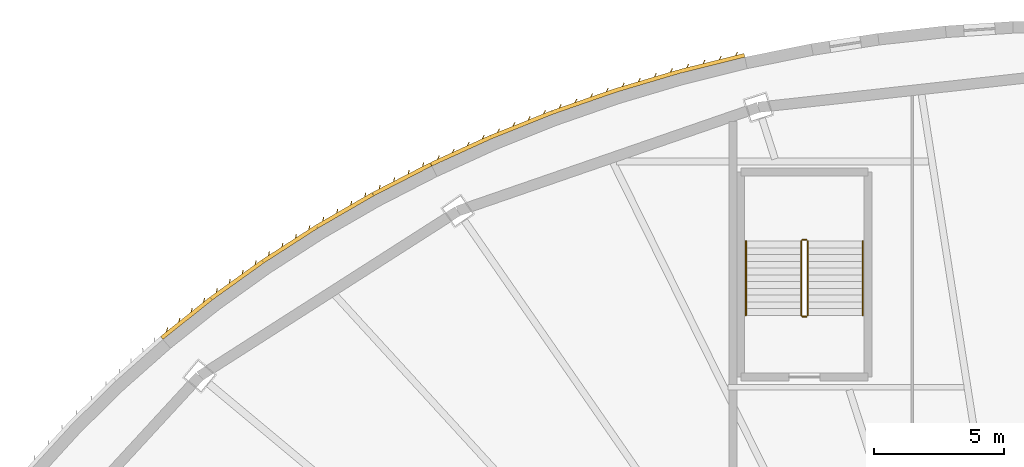
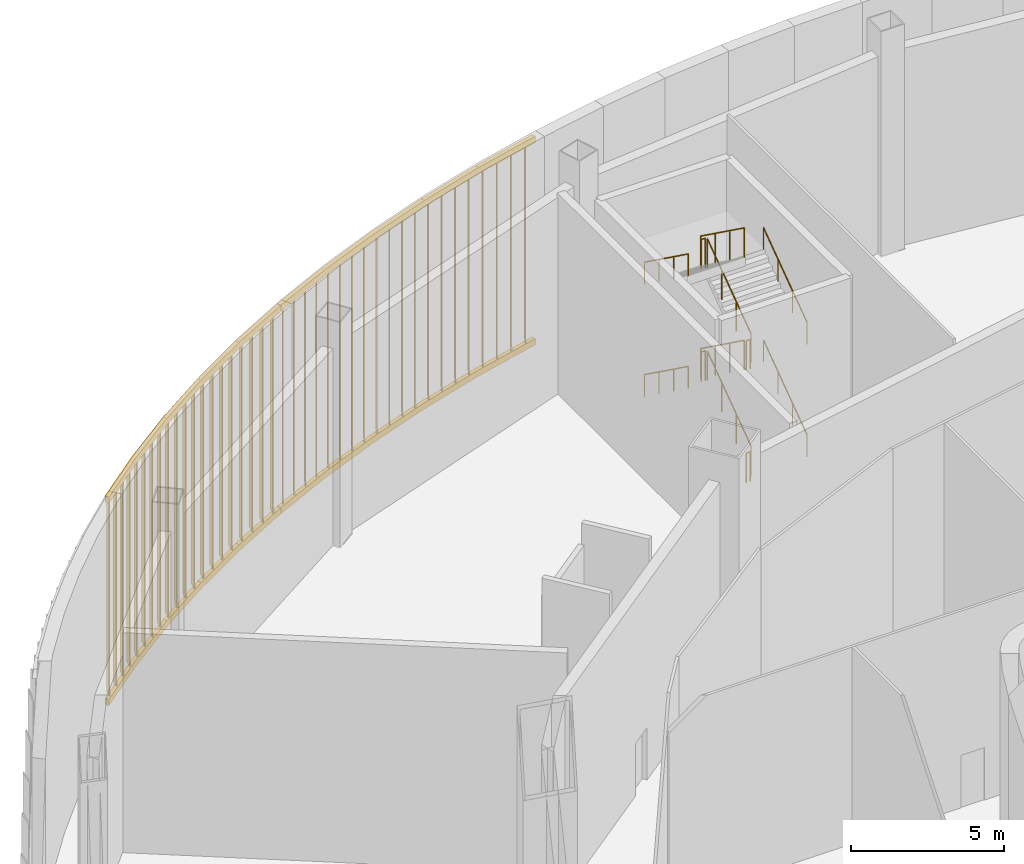
# One storey, part 33 of 35: 12 railings, 2 shading devices.
"""IFC4 building model written with IfcOpenShell, lengths in metres."""

from ifc_helpers import new_model, si_unit, direction, frame, origin, origin_2d, place, context, subcontext, project, spatial, rectangle, circle, extrude, material, type_object, element, save


model = new_model("IFC4")

# Units and contexts
model_context = context("Model", 3, precision=1e-05, world=origin(), true_north=direction((0.0, 1.0)))
body_context = subcontext(model_context, "Body", "Model", "MODEL_VIEW")
ifc_project = project(units=[si_unit("LENGTHUNIT", "METRE"), si_unit("AREAUNIT", "SQUARE_METRE"), si_unit("VOLUMEUNIT", "CUBIC_METRE"), si_unit("PLANEANGLEUNIT", "RADIAN"), si_unit("MASSUNIT", "GRAM", prefix="KILO")], contexts=[model_context])

# Site, building, storey
site_placement = place(None, origin())
site = spatial("IfcSite", under=ifc_project, at=site_placement, CompositionType="ELEMENT")
building_placement = place(site_placement, origin())
building = spatial("IfcBuilding", under=site, at=building_placement, Name="Sahrelin Media Tower", CompositionType="ELEMENT")
storey_placement = place(building_placement, frame((0.0, 0.0, 17.0)))
storey = spatial("IfcBuildingStorey", under=building, at=storey_placement, Name="L02", CompositionType="ELEMENT", Elevation=17.0)

# Railings
ifc_material_1 = material(Name="Steel S355", Category="steel")
railing_type_1 = type_object("IfcRailingType", Name="Stair guard 1200", PredefinedType="GUARDRAIL", material=ifc_material_1)
railing_1_placement = place(storey_placement, frame((-10.52490234375, 30.625, 0.1875)))
element("IfcRailing", 1, at=railing_1_placement, inside=storey, type_object=railing_type_1, Name="L02 PS2 stair guard 1", PredefinedType="GUARDRAIL", context=body_context, shape_type="SweptSolid", body=[
    extrude(circle(Radius=0.02392578125, at=origin_2d()), frame((0.0, 0.0, 1.17578125), z_axis=(0.0, 0.811100754333, 0.584906459462), x_axis=(-1.0, 0.0, 0.0)), (0.0, 0.0, 1.0), 3.526123046875),
    extrude(circle(Radius=0.02099609375, at=origin_2d()), origin(), (0.0, 0.0, 1.0), 1.15185546875),
    extrude(circle(Radius=0.02099609375, at=origin_2d()), frame((0.0, 0.953369140625, 0.6875)), (0.0, 0.0, 1.0), 1.15185546875),
    extrude(circle(Radius=0.02099609375, at=origin_2d()), frame((0.0, 1.90673828125, 1.375)), (0.0, 0.0, 1.0), 1.15185546875),
    extrude(circle(Radius=0.02099609375, at=origin_2d()), frame((0.0, 2.860107421875, 2.0625)), (0.0, 0.0, 1.0), 1.15185546875),
])
railing_2_placement = place(storey_placement, frame((-10.574951171875, 33.534912109375, 2.25)))
element("IfcRailing", 2, at=railing_2_placement, inside=storey, type_object=railing_type_1, Name="L02 PS2 stair guard 2", PredefinedType="GUARDRAIL", context=body_context, shape_type="SweptSolid", body=[
    extrude(circle(Radius=0.02392578125, at=origin_2d()), frame((0.0, 0.0, 1.17578125), z_axis=(-1.0, 0.0, 0.0), x_axis=(0.0, -1.0, 0.0)), (0.0, 0.0, 1.0), 0.150146484375),
    extrude(circle(Radius=0.02099609375, at=origin_2d()), origin(), (0.0, 0.0, 1.0), 1.15185546875),
    extrude(circle(Radius=0.02099609375, at=origin_2d()), frame((-0.150146484375, 0.0, 0.0)), (0.0, 0.0, 1.0), 1.15185546875),
])
railing_3_placement = place(storey_placement, frame((-10.77490234375, 33.485107421875, 2.4375)))
element("IfcRailing", 3, at=railing_3_placement, inside=storey, type_object=railing_type_1, Name="L02 PS2 stair guard 3", PredefinedType="GUARDRAIL", context=body_context, shape_type="SweptSolid", body=[
    extrude(circle(Radius=0.02392578125, at=origin_2d()), frame((0.0, 0.0, 1.17578125), z_axis=(0.0, -0.811100754333, 0.584906459462), x_axis=(1.0, 0.0, 0.0)), (0.0, 0.0, 1.0), 3.526123046875),
    extrude(circle(Radius=0.02099609375, at=origin_2d()), origin(), (0.0, 0.0, 1.0), 1.15185546875),
    extrude(circle(Radius=0.02099609375, at=origin_2d()), frame((0.0, -0.953369140625, 0.6875)), (0.0, 0.0, 1.0), 1.15185546875),
    extrude(circle(Radius=0.02099609375, at=origin_2d()), frame((0.0, -1.90673828125, 1.375)), (0.0, 0.0, 1.0), 1.15185546875),
    extrude(circle(Radius=0.02099609375, at=origin_2d()), frame((0.0, -2.860107421875, 2.0625)), (0.0, 0.0, 1.0), 1.15185546875),
])
railing_4_placement = place(storey_placement, frame((-10.574951171875, 30.574951171875, 4.5)))
element("IfcRailing", 4, at=railing_4_placement, inside=storey, type_object=railing_type_1, Name="L02 PS2 stair guard 4", PredefinedType="GUARDRAIL", context=body_context, shape_type="SweptSolid", body=[
    extrude(circle(Radius=0.02392578125, at=origin_2d()), frame((0.0, 0.0, 1.17578125), z_axis=(-1.0, 0.0, 0.0), x_axis=(0.0, -1.0, 0.0)), (0.0, 0.0, 1.0), 0.150146484375),
    extrude(circle(Radius=0.02099609375, at=origin_2d()), origin(), (0.0, 0.0, 1.0), 1.15185546875),
    extrude(circle(Radius=0.02099609375, at=origin_2d()), frame((-0.150146484375, 0.0, 0.0)), (0.0, 0.0, 1.0), 1.15185546875),
])
railing_5_placement = place(storey_placement, frame((-10.52490234375, 30.625, 4.6875)))
element("IfcRailing", 5, at=railing_5_placement, inside=storey, type_object=railing_type_1, Name="L02 PS2 stair guard 5", PredefinedType="GUARDRAIL", context=body_context, shape_type="SweptSolid", body=[
    extrude(circle(Radius=0.02392578125, at=origin_2d()), frame((0.0, 0.0, 1.17578125), z_axis=(0.0, 0.811100754333, 0.584906459462), x_axis=(-1.0, 0.0, 0.0)), (0.0, 0.0, 1.0), 3.526123046875),
    extrude(circle(Radius=0.02099609375, at=origin_2d()), origin(), (0.0, 0.0, 1.0), 1.15185546875),
    extrude(circle(Radius=0.02099609375, at=origin_2d()), frame((0.0, 0.953369140625, 0.6875)), (0.0, 0.0, 1.0), 1.15185546875),
    extrude(circle(Radius=0.02099609375, at=origin_2d()), frame((0.0, 1.90673828125, 1.375)), (0.0, 0.0, 1.0), 1.15185546875),
    extrude(circle(Radius=0.02099609375, at=origin_2d()), frame((0.0, 2.860107421875, 2.0625)), (0.0, 0.0, 1.0), 1.15185546875),
])
railing_6_placement = place(storey_placement, frame((-10.574951171875, 33.534912109375, 6.75)))
element("IfcRailing", 6, at=railing_6_placement, inside=storey, type_object=railing_type_1, Name="L02 PS2 stair guard 6", PredefinedType="GUARDRAIL", context=body_context, shape_type="SweptSolid", body=[
    extrude(circle(Radius=0.02392578125, at=origin_2d()), frame((0.0, 0.0, 1.17578125), z_axis=(-1.0, 0.0, 0.0), x_axis=(0.0, -1.0, 0.0)), (0.0, 0.0, 1.0), 0.150146484375),
    extrude(circle(Radius=0.02099609375, at=origin_2d()), origin(), (0.0, 0.0, 1.0), 1.15185546875),
    extrude(circle(Radius=0.02099609375, at=origin_2d()), frame((-0.150146484375, 0.0, 0.0)), (0.0, 0.0, 1.0), 1.15185546875),
])
railing_7_placement = place(storey_placement, frame((-10.77490234375, 33.485107421875, 6.9375)))
element("IfcRailing", 7, at=railing_7_placement, inside=storey, type_object=railing_type_1, Name="L02 PS2 stair guard 7", PredefinedType="GUARDRAIL", context=body_context, shape_type="SweptSolid", body=[
    extrude(circle(Radius=0.02392578125, at=origin_2d()), frame((0.0, 0.0, 1.17578125), z_axis=(0.0, -0.811100754333, 0.584906459462), x_axis=(1.0, 0.0, 0.0)), (0.0, 0.0, 1.0), 3.526123046875),
    extrude(circle(Radius=0.02099609375, at=origin_2d()), origin(), (0.0, 0.0, 1.0), 1.15185546875),
    extrude(circle(Radius=0.02099609375, at=origin_2d()), frame((0.0, -0.953369140625, 0.6875)), (0.0, 0.0, 1.0), 1.15185546875),
    extrude(circle(Radius=0.02099609375, at=origin_2d()), frame((0.0, -1.90673828125, 1.375)), (0.0, 0.0, 1.0), 1.15185546875),
    extrude(circle(Radius=0.02099609375, at=origin_2d()), frame((0.0, -2.860107421875, 2.0625)), (0.0, 0.0, 1.0), 1.15185546875),
])
railing_8_placement = place(storey_placement, frame((-10.574951171875, 30.574951171875, 0.0)))
element("IfcRailing", 8, at=railing_8_placement, inside=storey, type_object=railing_type_1, Name="L02 PS2 stair guard 8", PredefinedType="GUARDRAIL", context=body_context, shape_type="SweptSolid", body=[
    extrude(circle(Radius=0.02392578125, at=origin_2d()), frame((0.0, 0.0, 1.17578125), z_axis=(-1.0, 0.0, 0.0), x_axis=(0.0, -1.0, 0.0)), (0.0, 0.0, 1.0), 0.150146484375),
    extrude(circle(Radius=0.02099609375, at=origin_2d()), origin(), (0.0, 0.0, 1.0), 1.15185546875),
    extrude(circle(Radius=0.02099609375, at=origin_2d()), frame((-0.150146484375, 0.0, 0.0)), (0.0, 0.0, 1.0), 1.15185546875),
])
railing_type_2 = type_object("IfcRailingType", Name="Stair handrail 900", PredefinedType="HANDRAIL", material=ifc_material_1)
railing_9_placement = place(storey_placement, frame((-8.39990234375, 30.625, 0.1875)))
element("IfcRailing", 9, at=railing_9_placement, inside=storey, type_object=railing_type_2, Name="L02 PS2 stair handrail 1", PredefinedType="HANDRAIL", context=body_context, shape_type="SweptSolid", body=[
    extrude(circle(Radius=0.02392578125, at=origin_2d()), frame((0.0, 0.0, 0.8759765625), z_axis=(0.0, 0.811100754333, 0.584906459462), x_axis=(-1.0, 0.0, 0.0)), (0.0, 0.0, 1.0), 3.526123046875),
    extrude(circle(Radius=0.02099609375, at=origin_2d()), origin(), (0.0, 0.0, 1.0), 0.851806640625),
    extrude(circle(Radius=0.02099609375, at=origin_2d()), frame((0.0, 0.953369140625, 0.6875)), (0.0, 0.0, 1.0), 0.851806640625),
    extrude(circle(Radius=0.02099609375, at=origin_2d()), frame((0.0, 1.90673828125, 1.375)), (0.0, 0.0, 1.0), 0.851806640625),
    extrude(circle(Radius=0.02099609375, at=origin_2d()), frame((0.0, 2.860107421875, 2.0625)), (0.0, 0.0, 1.0), 0.851806640625),
])
railing_10_placement = place(storey_placement, frame((-12.89990234375, 33.485107421875, 2.4375)))
element("IfcRailing", 10, at=railing_10_placement, inside=storey, type_object=railing_type_2, Name="L02 PS2 stair handrail 2", PredefinedType="HANDRAIL", context=body_context, shape_type="SweptSolid", body=[
    extrude(circle(Radius=0.02392578125, at=origin_2d()), frame((0.0, 0.0, 0.8759765625), z_axis=(0.0, -0.811100754333, 0.584906459462), x_axis=(1.0, 0.0, 0.0)), (0.0, 0.0, 1.0), 3.526123046875),
    extrude(circle(Radius=0.02099609375, at=origin_2d()), origin(), (0.0, 0.0, 1.0), 0.851806640625),
    extrude(circle(Radius=0.02099609375, at=origin_2d()), frame((0.0, -0.953369140625, 0.6875)), (0.0, 0.0, 1.0), 0.851806640625),
    extrude(circle(Radius=0.02099609375, at=origin_2d()), frame((0.0, -1.90673828125, 1.375)), (0.0, 0.0, 1.0), 0.851806640625),
    extrude(circle(Radius=0.02099609375, at=origin_2d()), frame((0.0, -2.860107421875, 2.0625)), (0.0, 0.0, 1.0), 0.851806640625),
])
railing_11_placement = place(storey_placement, frame((-8.39990234375, 30.625, 4.6875)))
element("IfcRailing", 11, at=railing_11_placement, inside=storey, type_object=railing_type_2, Name="L02 PS2 stair handrail 3", PredefinedType="HANDRAIL", context=body_context, shape_type="SweptSolid", body=[
    extrude(circle(Radius=0.02392578125, at=origin_2d()), frame((0.0, 0.0, 0.8759765625), z_axis=(0.0, 0.811100754333, 0.584906459462), x_axis=(-1.0, 0.0, 0.0)), (0.0, 0.0, 1.0), 3.526123046875),
    extrude(circle(Radius=0.02099609375, at=origin_2d()), origin(), (0.0, 0.0, 1.0), 0.851806640625),
    extrude(circle(Radius=0.02099609375, at=origin_2d()), frame((0.0, 0.953369140625, 0.6875)), (0.0, 0.0, 1.0), 0.851806640625),
    extrude(circle(Radius=0.02099609375, at=origin_2d()), frame((0.0, 1.90673828125, 1.375)), (0.0, 0.0, 1.0), 0.851806640625),
    extrude(circle(Radius=0.02099609375, at=origin_2d()), frame((0.0, 2.860107421875, 2.0625)), (0.0, 0.0, 1.0), 0.851806640625),
])
railing_12_placement = place(storey_placement, frame((-12.89990234375, 33.485107421875, 6.9375)))
element("IfcRailing", 12, at=railing_12_placement, inside=storey, type_object=railing_type_2, Name="L02 PS2 stair handrail 4", PredefinedType="HANDRAIL", context=body_context, shape_type="SweptSolid", body=[
    extrude(circle(Radius=0.02392578125, at=origin_2d()), frame((0.0, 0.0, 0.8759765625), z_axis=(0.0, -0.811100754333, 0.584906459462), x_axis=(1.0, 0.0, 0.0)), (0.0, 0.0, 1.0), 3.526123046875),
    extrude(circle(Radius=0.02099609375, at=origin_2d()), origin(), (0.0, 0.0, 1.0), 0.851806640625),
    extrude(circle(Radius=0.02099609375, at=origin_2d()), frame((0.0, -0.953369140625, 0.6875)), (0.0, 0.0, 1.0), 0.851806640625),
    extrude(circle(Radius=0.02099609375, at=origin_2d()), frame((0.0, -1.90673828125, 1.375)), (0.0, 0.0, 1.0), 0.851806640625),
    extrude(circle(Radius=0.02099609375, at=origin_2d()), frame((0.0, -2.860107421875, 2.0625)), (0.0, 0.0, 1.0), 0.851806640625),
])

# Shading devices
ifc_material_2 = material(Name="Champagne anodised aluminium 6063-T6", Category="aluminium")
shading_device_type = type_object("IfcShadingDeviceType", Name="Studio facade screen", PredefinedType="USERDEFINED", material=ifc_material_2)
shading_device_1_placement = place(storey_placement, frame((-12.94091796875, 40.56884765625, 0.0), z_axis=(0.0, 0.0, 1.0), x_axis=(0.944472511528, 0.328590436515, 0.0)))
element("IfcShadingDevice", 13, at=shading_device_1_placement, inside=storey, type_object=shading_device_type, Name="L02:SCREEN:L02-P07", ObjectType="SCREEN", PredefinedType="USERDEFINED", context=body_context, shape_type="SweptSolid", body=[
    extrude(rectangle(XDim=0.14990234375, YDim=0.25, at=origin_2d()), frame((0.0068359375, 0.07470703125, 0.35009765625), z_axis=(-0.995868409854, 0.090808095761, 0.0), x_axis=(-0.090808095761, -0.995868409854, 0.0)), (0.0, 0.0, 1.0), 2.58642578125),
    extrude(rectangle(XDim=0.14990234375, YDim=0.25, at=origin_2d()), frame((0.0068359375, 0.07470703125, 8.449951171875), z_axis=(-0.995868409854, 0.090808095761, 0.0), x_axis=(-0.090808095761, -0.995868409854, 0.0)), (0.0, 0.0, 1.0), 2.58642578125),
    extrude(rectangle(XDim=0.300048828125, YDim=0.0400390625, at=origin_2d()), frame((-0.308349609375, 0.1787109375, 0.47509765625), z_axis=(0.0, 0.0, 1.0), x_axis=(0.707106781187, 0.707106781187, 0.0)), (0.0, 0.0, 1.0), 7.849853515625),
    extrude(rectangle(XDim=0.300048828125, YDim=0.0400390625, at=origin_2d()), frame((-0.9521484375, 0.237548828125, 0.47509765625), z_axis=(0.0, 0.0, 1.0), x_axis=(0.707106781187, 0.707106781187, 0.0)), (0.0, 0.0, 1.0), 7.849853515625),
    extrude(rectangle(XDim=0.300048828125, YDim=0.0400390625, at=origin_2d()), frame((-1.59619140625, 0.296142578125, 0.47509765625), z_axis=(0.0, 0.0, 1.0), x_axis=(0.707106781187, 0.707106781187, 0.0)), (0.0, 0.0, 1.0), 7.849853515625),
    extrude(rectangle(XDim=0.300048828125, YDim=0.0400390625, at=origin_2d()), frame((-2.239990234375, 0.35498046875, 0.47509765625), z_axis=(0.0, 0.0, 1.0), x_axis=(0.707106781187, 0.707106781187, 0.0)), (0.0, 0.0, 1.0), 7.849853515625),
    extrude(rectangle(XDim=0.14990234375, YDim=0.25, at=origin_2d()), frame((-2.572265625, 0.309814453125, 0.35009765625), z_axis=(-0.998954807811, 0.045708773245, 0.0), x_axis=(-0.045708773245, -0.998954807811, 0.0)), (0.0, 0.0, 1.0), 2.574462890625),
    extrude(rectangle(XDim=0.14990234375, YDim=0.25, at=origin_2d()), frame((-2.572265625, 0.309814453125, 8.449951171875), z_axis=(-0.998954807811, 0.045708773245, 0.0), x_axis=(-0.045708773245, -0.998954807811, 0.0)), (0.0, 0.0, 1.0), 2.574462890625),
    extrude(rectangle(XDim=0.300048828125, YDim=0.0400390625, at=origin_2d()), frame((-2.890380859375, 0.3994140625, 0.47509765625), z_axis=(0.0, 0.0, 1.0), x_axis=(0.707106781187, 0.707106781187, 0.0)), (0.0, 0.0, 1.0), 7.849853515625),
    extrude(rectangle(XDim=0.300048828125, YDim=0.0400390625, at=origin_2d()), frame((-3.533203125, 0.428955078125, 0.47509765625), z_axis=(0.0, 0.0, 1.0), x_axis=(0.707106781187, 0.707106781187, 0.0)), (0.0, 0.0, 1.0), 7.849853515625),
    extrude(rectangle(XDim=0.300048828125, YDim=0.0400390625, at=origin_2d()), frame((-4.176025390625, 0.458251953125, 0.47509765625), z_axis=(0.0, 0.0, 1.0), x_axis=(0.707106781187, 0.707106781187, 0.0)), (0.0, 0.0, 1.0), 7.849853515625),
    extrude(rectangle(XDim=0.300048828125, YDim=0.0400390625, at=origin_2d()), frame((-4.819091796875, 0.48779296875, 0.47509765625), z_axis=(0.0, 0.0, 1.0), x_axis=(0.707106781187, 0.707106781187, 0.0)), (0.0, 0.0, 1.0), 7.849853515625),
    extrude(rectangle(XDim=0.14990234375, YDim=0.25, at=origin_2d()), frame((-5.1474609375, 0.427490234375, 0.35009765625), z_axis=(-1.0, 0.0, 0.0), x_axis=(0.0, -1.0, 0.0)), (0.0, 0.0, 1.0), 2.560546875),
    extrude(rectangle(XDim=0.14990234375, YDim=0.25, at=origin_2d()), frame((-5.1474609375, 0.427490234375, 8.449951171875), z_axis=(-1.0, 0.0, 0.0), x_axis=(0.0, -1.0, 0.0)), (0.0, 0.0, 1.0), 2.560546875),
    extrude(rectangle(XDim=0.300048828125, YDim=0.0400390625, at=origin_2d()), frame((-5.467529296875, 0.502685546875, 0.47509765625), z_axis=(0.0, 0.0, 1.0), x_axis=(0.707106781187, 0.707106781187, 0.0)), (0.0, 0.0, 1.0), 7.849853515625),
    extrude(rectangle(XDim=0.300048828125, YDim=0.0400390625, at=origin_2d()), frame((-6.107666015625, 0.502685546875, 0.47509765625), z_axis=(0.0, 0.0, 1.0), x_axis=(0.707106781187, 0.707106781187, 0.0)), (0.0, 0.0, 1.0), 7.849853515625),
    extrude(rectangle(XDim=0.300048828125, YDim=0.0400390625, at=origin_2d()), frame((-6.747802734375, 0.502685546875, 0.47509765625), z_axis=(0.0, 0.0, 1.0), x_axis=(0.707106781187, 0.707106781187, 0.0)), (0.0, 0.0, 1.0), 7.849853515625),
    extrude(rectangle(XDim=0.300048828125, YDim=0.0400390625, at=origin_2d()), frame((-7.387939453125, 0.502685546875, 0.47509765625), z_axis=(0.0, 0.0, 1.0), x_axis=(0.707106781187, 0.707106781187, 0.0)), (0.0, 0.0, 1.0), 7.849853515625),
    extrude(rectangle(XDim=0.14990234375, YDim=0.25, at=origin_2d()), frame((-7.71142578125, 0.427490234375, 0.35009765625), z_axis=(-0.998930620484, -0.046234353666, 0.0), x_axis=(0.046234353666, -0.998930620484, 0.0)), (0.0, 0.0, 1.0), 2.545166015625),
    extrude(rectangle(XDim=0.14990234375, YDim=0.25, at=origin_2d()), frame((-7.71142578125, 0.427490234375, 8.449951171875), z_axis=(-0.998930620484, -0.046234353666, 0.0), x_axis=(0.046234353666, -0.998930620484, 0.0)), (0.0, 0.0, 1.0), 2.545166015625),
    extrude(rectangle(XDim=0.300048828125, YDim=0.0400390625, at=origin_2d()), frame((-8.03271484375, 0.48779296875, 0.47509765625), z_axis=(0.0, 0.0, 1.0), x_axis=(0.707106781187, 0.707106781187, 0.0)), (0.0, 0.0, 1.0), 7.849853515625),
    extrude(rectangle(XDim=0.300048828125, YDim=0.0400390625, at=origin_2d()), frame((-8.66845703125, 0.458251953125, 0.47509765625), z_axis=(0.0, 0.0, 1.0), x_axis=(0.707106781187, 0.707106781187, 0.0)), (0.0, 0.0, 1.0), 7.849853515625),
    extrude(rectangle(XDim=0.300048828125, YDim=0.0400390625, at=origin_2d()), frame((-9.303955078125, 0.428955078125, 0.47509765625), z_axis=(0.0, 0.0, 1.0), x_axis=(0.707106781187, 0.707106781187, 0.0)), (0.0, 0.0, 1.0), 7.849853515625),
    extrude(rectangle(XDim=0.300048828125, YDim=0.0400390625, at=origin_2d()), frame((-9.939697265625, 0.3994140625, 0.47509765625), z_axis=(0.0, 0.0, 1.0), x_axis=(0.707106781187, 0.707106781187, 0.0)), (0.0, 0.0, 1.0), 7.849853515625),
    extrude(rectangle(XDim=0.14990234375, YDim=0.25, at=origin_2d()), frame((-10.257568359375, 0.3095703125, 0.35009765625), z_axis=(-0.995676744861, -0.092886057851, 0.0), x_axis=(0.092886057851, -0.995676744861, 0.0)), (0.0, 0.0, 1.0), 2.528564453125),
    extrude(rectangle(XDim=0.14990234375, YDim=0.25, at=origin_2d()), frame((-10.257568359375, 0.3095703125, 8.449951171875), z_axis=(-0.995676744861, -0.092886057851, 0.0), x_axis=(0.092886057851, -0.995676744861, 0.0)), (0.0, 0.0, 1.0), 2.528564453125),
    extrude(rectangle(XDim=0.300048828125, YDim=0.0400390625, at=origin_2d()), frame((-10.5791015625, 0.35498046875, 0.47509765625), z_axis=(0.0, 0.0, 1.0), x_axis=(0.707106781187, 0.707106781187, 0.0)), (0.0, 0.0, 1.0), 7.849853515625),
    extrude(rectangle(XDim=0.300048828125, YDim=0.0400390625, at=origin_2d()), frame((-11.20849609375, 0.296142578125, 0.47509765625), z_axis=(0.0, 0.0, 1.0), x_axis=(0.707106781187, 0.707106781187, 0.0)), (0.0, 0.0, 1.0), 7.849853515625),
    extrude(rectangle(XDim=0.300048828125, YDim=0.0400390625, at=origin_2d()), frame((-11.837890625, 0.237548828125, 0.47509765625), z_axis=(0.0, 0.0, 1.0), x_axis=(0.707106781187, 0.707106781187, 0.0)), (0.0, 0.0, 1.0), 7.849853515625),
    extrude(rectangle(XDim=0.300048828125, YDim=0.0400390625, at=origin_2d()), frame((-12.46728515625, 0.1787109375, 0.47509765625), z_axis=(0.0, 0.0, 1.0), x_axis=(0.707106781187, 0.707106781187, 0.0)), (0.0, 0.0, 1.0), 7.849853515625),
])
shading_device_2_placement = place(storey_placement, frame((-25.0, 36.373046875, 0.0), z_axis=(0.0, 0.0, 1.0), x_axis=(0.840505257377, 0.541803388991, 0.0)))
element("IfcShadingDevice", 14, at=shading_device_2_placement, inside=storey, type_object=shading_device_type, Name="L02:SCREEN:L02-P08", ObjectType="SCREEN", PredefinedType="USERDEFINED", context=body_context, shape_type="SweptSolid", body=[
    extrude(rectangle(XDim=0.14990234375, YDim=0.25, at=origin_2d()), frame((0.00732421875, 0.07470703125, 0.35009765625), z_axis=(-0.995288149156, 0.096961333272, 0.0), x_axis=(-0.096961333272, -0.995288149156, 0.0)), (0.0, 0.0, 1.0), 2.51025390625),
    extrude(rectangle(XDim=0.14990234375, YDim=0.25, at=origin_2d()), frame((0.00732421875, 0.07470703125, 8.449951171875), z_axis=(-0.995288149156, 0.096961333272, 0.0), x_axis=(-0.096961333272, -0.995288149156, 0.0)), (0.0, 0.0, 1.0), 2.51025390625),
    extrude(rectangle(XDim=0.300048828125, YDim=0.0400390625, at=origin_2d()), frame((-0.2978515625, 0.1796875, 0.47509765625), z_axis=(0.0, 0.0, 1.0), x_axis=(0.707106781187, 0.707106781187, 0.0)), (0.0, 0.0, 1.0), 7.849853515625),
    extrude(rectangle(XDim=0.300048828125, YDim=0.0400390625, at=origin_2d()), frame((-0.92236328125, 0.240478515625, 0.47509765625), z_axis=(0.0, 0.0, 1.0), x_axis=(0.707106781187, 0.707106781187, 0.0)), (0.0, 0.0, 1.0), 7.849853515625),
    extrude(rectangle(XDim=0.300048828125, YDim=0.0400390625, at=origin_2d()), frame((-1.547119140625, 0.301513671875, 0.47509765625), z_axis=(0.0, 0.0, 1.0), x_axis=(0.707106781187, 0.707106781187, 0.0)), (0.0, 0.0, 1.0), 7.849853515625),
    extrude(rectangle(XDim=0.300048828125, YDim=0.0400390625, at=origin_2d()), frame((-2.171630859375, 0.3623046875, 0.47509765625), z_axis=(0.0, 0.0, 1.0), x_axis=(0.707106781187, 0.707106781187, 0.0)), (0.0, 0.0, 1.0), 7.849853515625),
    extrude(rectangle(XDim=0.14990234375, YDim=0.25, at=origin_2d()), frame((-2.494873046875, 0.318603515625, 0.35009765625), z_axis=(-0.99880815952, 0.048808405793, 0.0), x_axis=(-0.048808405793, -0.99880815952, 0.0)), (0.0, 0.0, 1.0), 2.490966796875),
    extrude(rectangle(XDim=0.14990234375, YDim=0.25, at=origin_2d()), frame((-2.494873046875, 0.318603515625, 8.449951171875), z_axis=(-0.99880815952, 0.048808405793, 0.0), x_axis=(-0.048808405793, -0.99880815952, 0.0)), (0.0, 0.0, 1.0), 2.490966796875),
    extrude(rectangle(XDim=0.300048828125, YDim=0.0400390625, at=origin_2d()), frame((-2.80224609375, 0.40869140625, 0.47509765625), z_axis=(0.0, 0.0, 1.0), x_axis=(0.707106781187, 0.707106781187, 0.0)), (0.0, 0.0, 1.0), 7.849853515625),
    extrude(rectangle(XDim=0.300048828125, YDim=0.0400390625, at=origin_2d()), frame((-3.42431640625, 0.439208984375, 0.47509765625), z_axis=(0.0, 0.0, 1.0), x_axis=(0.707106781187, 0.707106781187, 0.0)), (0.0, 0.0, 1.0), 7.849853515625),
    extrude(rectangle(XDim=0.300048828125, YDim=0.0400390625, at=origin_2d()), frame((-4.046142578125, 0.469482421875, 0.47509765625), z_axis=(0.0, 0.0, 1.0), x_axis=(0.707106781187, 0.707106781187, 0.0)), (0.0, 0.0, 1.0), 7.849853515625),
    extrude(rectangle(XDim=0.300048828125, YDim=0.0400390625, at=origin_2d()), frame((-4.668212890625, 0.5, 0.47509765625), z_axis=(0.0, 0.0, 1.0), x_axis=(0.707106781187, 0.707106781187, 0.0)), (0.0, 0.0, 1.0), 7.849853515625),
    extrude(rectangle(XDim=0.14990234375, YDim=0.25, at=origin_2d()), frame((-4.986572265625, 0.4404296875, 0.35009765625), z_axis=(-1.0, 0.0, 0.0), x_axis=(0.0, -1.0, 0.0)), (0.0, 0.0, 1.0), 2.470703125),
    extrude(rectangle(XDim=0.14990234375, YDim=0.25, at=origin_2d()), frame((-4.986572265625, 0.4404296875, 8.449951171875), z_axis=(-1.0, 0.0, 0.0), x_axis=(0.0, -1.0, 0.0)), (0.0, 0.0, 1.0), 2.470703125),
    extrude(rectangle(XDim=0.300048828125, YDim=0.0400390625, at=origin_2d()), frame((-5.29541015625, 0.515380859375, 0.47509765625), z_axis=(0.0, 0.0, 1.0), x_axis=(0.707106781187, 0.707106781187, 0.0)), (0.0, 0.0, 1.0), 7.849853515625),
    extrude(rectangle(XDim=0.300048828125, YDim=0.0400390625, at=origin_2d()), frame((-5.9130859375, 0.515380859375, 0.47509765625), z_axis=(0.0, 0.0, 1.0), x_axis=(0.707106781187, 0.707106781187, 0.0)), (0.0, 0.0, 1.0), 7.849853515625),
    extrude(rectangle(XDim=0.300048828125, YDim=0.0400390625, at=origin_2d()), frame((-6.53076171875, 0.515380859375, 0.47509765625), z_axis=(0.0, 0.0, 1.0), x_axis=(0.707106781187, 0.707106781187, 0.0)), (0.0, 0.0, 1.0), 7.849853515625),
    extrude(rectangle(XDim=0.300048828125, YDim=0.0400390625, at=origin_2d()), frame((-7.1484375, 0.515380859375, 0.47509765625), z_axis=(0.0, 0.0, 1.0), x_axis=(0.707106781187, 0.707106781187, 0.0)), (0.0, 0.0, 1.0), 7.849853515625),
    extrude(rectangle(XDim=0.14990234375, YDim=0.25, at=origin_2d()), frame((-7.4609375, 0.440185546875, 0.35009765625), z_axis=(-0.998762754954, -0.049728857985, 0.0), x_axis=(0.049728857985, -0.998762754954, 0.0)), (0.0, 0.0, 1.0), 2.44970703125),
    extrude(rectangle(XDim=0.14990234375, YDim=0.25, at=origin_2d()), frame((-7.4609375, 0.440185546875, 8.449951171875), z_axis=(-0.998762754954, -0.049728857985, 0.0), x_axis=(0.049728857985, -0.998762754954, 0.0)), (0.0, 0.0, 1.0), 2.44970703125),
    extrude(rectangle(XDim=0.300048828125, YDim=0.0400390625, at=origin_2d()), frame((-7.7705078125, 0.5, 0.47509765625), z_axis=(0.0, 0.0, 1.0), x_axis=(0.707106781187, 0.707106781187, 0.0)), (0.0, 0.0, 1.0), 7.849853515625),
    extrude(rectangle(XDim=0.300048828125, YDim=0.0400390625, at=origin_2d()), frame((-8.38232421875, 0.469482421875, 0.47509765625), z_axis=(0.0, 0.0, 1.0), x_axis=(0.707106781187, 0.707106781187, 0.0)), (0.0, 0.0, 1.0), 7.849853515625),
    extrude(rectangle(XDim=0.300048828125, YDim=0.0400390625, at=origin_2d()), frame((-8.993896484375, 0.43896484375, 0.47509765625), z_axis=(0.0, 0.0, 1.0), x_axis=(0.707106781187, 0.707106781187, 0.0)), (0.0, 0.0, 1.0), 7.849853515625),
    extrude(rectangle(XDim=0.300048828125, YDim=0.0400390625, at=origin_2d()), frame((-9.605712890625, 0.40869140625, 0.47509765625), z_axis=(0.0, 0.0, 1.0), x_axis=(0.707106781187, 0.707106781187, 0.0)), (0.0, 0.0, 1.0), 7.849853515625),
    extrude(rectangle(XDim=0.14990234375, YDim=0.25, at=origin_2d()), frame((-9.91162109375, 0.318115234375, 0.35009765625), z_axis=(-0.994962242717, -0.100250364425, 0.0), x_axis=(0.100250364425, -0.994962242717, 0.0)), (0.0, 0.0, 1.0), 2.427978515625),
    extrude(rectangle(XDim=0.14990234375, YDim=0.25, at=origin_2d()), frame((-9.91162109375, 0.318115234375, 8.449951171875), z_axis=(-0.994962242717, -0.100250364425, 0.0), x_axis=(0.100250364425, -0.994962242717, 0.0)), (0.0, 0.0, 1.0), 2.427978515625),
    extrude(rectangle(XDim=0.300048828125, YDim=0.0400390625, at=origin_2d()), frame((-10.220947265625, 0.3623046875, 0.47509765625), z_axis=(0.0, 0.0, 1.0), x_axis=(0.707106781187, 0.707106781187, 0.0)), (0.0, 0.0, 1.0), 7.849853515625),
    extrude(rectangle(XDim=0.300048828125, YDim=0.0400390625, at=origin_2d()), frame((-10.824951171875, 0.301513671875, 0.47509765625), z_axis=(0.0, 0.0, 1.0), x_axis=(0.707106781187, 0.707106781187, 0.0)), (0.0, 0.0, 1.0), 7.849853515625),
    extrude(rectangle(XDim=0.300048828125, YDim=0.0400390625, at=origin_2d()), frame((-11.428955078125, 0.240478515625, 0.47509765625), z_axis=(0.0, 0.0, 1.0), x_axis=(0.707106781187, 0.707106781187, 0.0)), (0.0, 0.0, 1.0), 7.849853515625),
    extrude(rectangle(XDim=0.300048828125, YDim=0.0400390625, at=origin_2d()), frame((-12.032958984375, 0.1796875, 0.47509765625), z_axis=(0.0, 0.0, 1.0), x_axis=(0.707106781187, 0.707106781187, 0.0)), (0.0, 0.0, 1.0), 7.849853515625),
])

save(model, "model.ifc")
